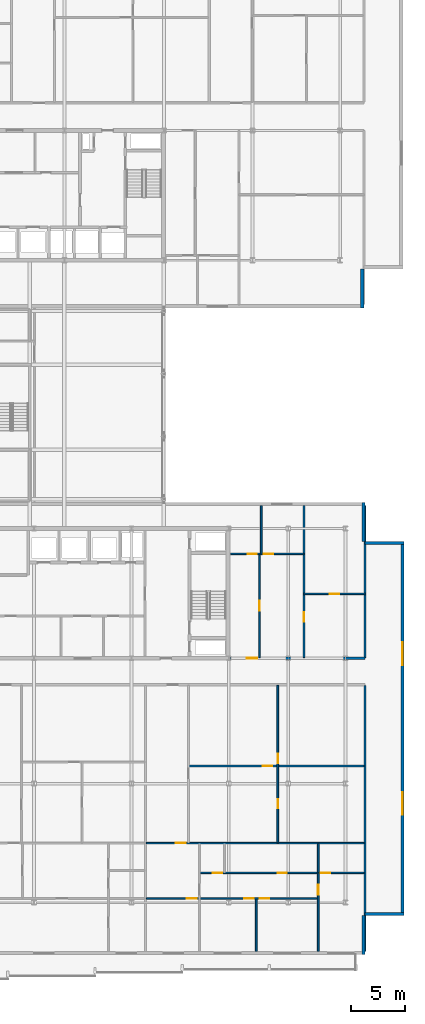
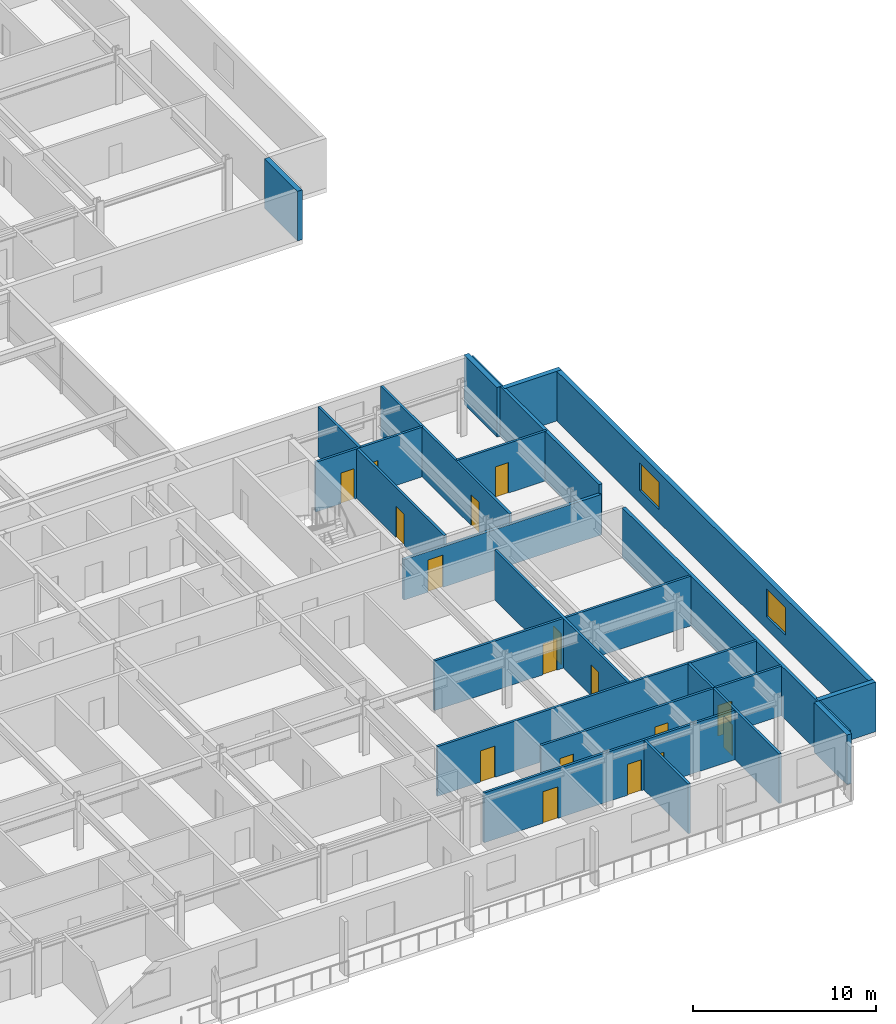
# One storey, part 23 of 36: 22 walls, 17 doors, 2 windows, 19 openings.
"""IFC4 building model written with IfcOpenShell, lengths in metres."""

from ifc_helpers import new_model, si_unit, direction, frame, frame_2d, origin, place, context, subcontext, project, spatial, rectangle, extrude, material, layer, layer_set, type_object, element, fill, save


model = new_model("IFC4")

# Units and contexts
model_context = context("Model", 3, precision=1e-05, world=origin(), true_north=direction((0.0, 1.0)))
body_context = subcontext(model_context, "Body", "Model", "MODEL_VIEW")
ifc_project = project(units=[si_unit("LENGTHUNIT", "METRE"), si_unit("AREAUNIT", "SQUARE_METRE"), si_unit("VOLUMEUNIT", "CUBIC_METRE"), si_unit("PLANEANGLEUNIT", "RADIAN"), si_unit("MASSUNIT", "GRAM", prefix="KILO")], contexts=[model_context])

# Site, building, storey
site_placement = place(None, origin())
site = spatial("IfcSite", under=ifc_project, at=site_placement, CompositionType="ELEMENT")
building_placement = place(site_placement, origin())
building = spatial("IfcBuilding", under=site, at=building_placement, Name="Korimba Cascade Residences", CompositionType="ELEMENT")
storey_placement = place(building_placement, frame((0.0, 0.0, 142.89990234375)))
storey = spatial("IfcBuildingStorey", under=building, at=storey_placement, Name="L41", CompositionType="ELEMENT", Elevation=142.89990234375)

# Walls
ifc_material_1 = material(Name="Precast concrete C40/50", Category="concrete")
ifc_layer_1 = layer(ifc_material_1, 0.300048828125)
ifc_layer_set_1 = layer_set([ifc_layer_1], Name="Precast concrete C40/50")
wall_type_1 = type_object("IfcWallType", Name="EW-STONE-300", PredefinedType="STANDARD", material=ifc_layer_set_1)
wall_1_placement = place(storey_placement, frame((130.449951171875, 50.800048828125, 0.0), z_axis=(0.0, 0.0, 1.0), x_axis=(0.0, 1.0, 0.0)))
element("IfcWall", 1, at=wall_1_placement, inside=storey, type_object=wall_type_1, Name="L41 T1 Perimeter Stone Wall E01", PredefinedType="STANDARD", context=body_context, shape_type="SweptSolid", body=[
    extrude(rectangle(XDim=3.599853515625, YDim=0.300048828125, at=frame_2d((1.7998046875, 0.0))), origin(), (0.0, 0.0, 1.0), 3.31005859375),
])
for number, where, z_axis, x_axis, name in (
    (2, (130.550048828125, -9.0, 0.0), (0.0, 0.0, 1.0), (0.0, 1.0, 0.0), "L41 T2 Perimeter Stone Wall E01"),
    (3, (130.699951171875, -5.25, 0.0), (0.0, 0.0, 1.0), (1.0, 0.0, 0.0), "L41 T2 Perimeter Stone Wall E02"),
):
    element("IfcWall", number, at=place(storey_placement, frame(where, z_axis=z_axis, x_axis=x_axis)), inside=storey, type_object=wall_type_1, Name=name, PredefinedType="STANDARD", context=body_context, shape_type="SweptSolid", body=[
        extrude(rectangle(XDim=3.60009765625, YDim=0.300048828125, at=frame_2d((1.800048828125, 0.0))), origin(), (0.0, 0.0, 1.0), 3.31005859375),
    ])

# Wall, openings, windows
wall_2_placement = place(storey_placement, frame((134.14990234375, -5.39990234375, 0.0), z_axis=(0.0, 0.0, 1.0), x_axis=(0.0, 1.0, 0.0)))
wall_2 = element("IfcWall", 4, at=wall_2_placement, inside=storey, type_object=wall_type_1, Name="L41 T2 Perimeter Stone Wall E03", PredefinedType="STANDARD", context=body_context, shape_type="SweptSolid", body=[
    extrude(rectangle(XDim=34.599853515625, YDim=0.300048828125, at=frame_2d((17.2998046875, 0.0))), origin(), (0.0, 0.0, 1.0), 3.31005859375),
])
opening_1_placement = place(wall_2_placement, frame((9.330078125, 0.0, 0.85009765625)))
opening_1 = element("IfcOpeningElement", 5, at=opening_1_placement, cuts=wall_2, Name="Opening W-03", PredefinedType="OPENING", context=body_context, shape_type="SweptSolid", body=[
    extrude(rectangle(XDim=2.10009765625, YDim=1.85009765625, at=frame_2d((1.050048828125, 0.925048828125))), frame((0.0, 0.16015625, 0.0), z_axis=(0.0, -1.0, 0.0), x_axis=(1.0, 0.0, 0.0)), (0.0, 0.0, 1.0), 0.320068359375),
])
opening_2_placement = place(wall_2_placement, frame((23.169921875, 0.0, 0.85009765625)))
opening_2 = element("IfcOpeningElement", 6, at=opening_2_placement, cuts=wall_2, Name="Opening W-03", PredefinedType="OPENING", context=body_context, shape_type="SweptSolid", body=[
    extrude(rectangle(XDim=2.10009765625, YDim=1.85009765625, at=frame_2d((1.050048828125, 0.925048828125))), frame((0.0, 0.16015625, 0.0), z_axis=(0.0, -1.0, 0.0), x_axis=(1.0, 0.0, 0.0)), (0.0, 0.0, 1.0), 0.320068359375),
])
ifc_material_2 = material(Name="Double-Glazed Aluminium Window", Category="aluminium")
window_type = type_object("IfcWindowType", Name="WIN-CRN-2100", PartitioningType="DOUBLE_PANEL_HORIZONTAL", PredefinedType="WINDOW", material=ifc_material_2)
window_1_placement = place(opening_1_placement, origin())
window_1 = element("IfcWindow", 7, at=window_1_placement, inside=storey, type_object=window_type, Name="L41 T2 End View Window 3.1", OverallHeight=1.85009765625, OverallWidth=2.10009765625, PartitioningType="DOUBLE_PANEL_HORIZONTAL", PredefinedType="WINDOW", context=body_context, shape_type="SweptSolid", body=[
    extrude(rectangle(XDim=2.10009765625, YDim=1.85009765625, at=frame_2d((1.050048828125, 0.925048828125))), frame((0.0, 0.030029296875, 0.0), z_axis=(0.0, -1.0, 0.0), x_axis=(1.0, 0.0, 0.0)), (0.0, 0.0, 1.0), 0.06005859375),
])
fill(opening_1, window_1)
window_2_placement = place(opening_2_placement, origin())
window_2 = element("IfcWindow", 8, at=window_2_placement, inside=storey, type_object=window_type, Name="L41 T2 End View Window 3.2", OverallHeight=1.85009765625, OverallWidth=2.10009765625, PartitioningType="DOUBLE_PANEL_HORIZONTAL", PredefinedType="WINDOW", context=body_context, shape_type="SweptSolid", body=[
    extrude(rectangle(XDim=2.10009765625, YDim=1.85009765625, at=frame_2d((1.050048828125, 0.925048828125))), frame((0.0, 0.030029296875, 0.0), z_axis=(0.0, -1.0, 0.0), x_axis=(1.0, 0.0, 0.0)), (0.0, 0.0, 1.0), 0.06005859375),
])
fill(opening_2, window_2)

# Walls
for number, where, z_axis, x_axis, name in (
    (9, (134.300048828125, 29.050048828125, 0.0), (0.0, 0.0, 1.0), (-1.0, 0.0, 0.0), "L41 T2 Perimeter Stone Wall E04"),
    (10, (130.550048828125, 29.199951171875, 0.0), (0.0, 0.0, 1.0), (0.0, 1.0, 0.0), "L41 T2 Perimeter Stone Wall E05"),
):
    element("IfcWall", number, at=place(storey_placement, frame(where, z_axis=z_axis, x_axis=x_axis)), inside=storey, type_object=wall_type_1, Name=name, PredefinedType="STANDARD", context=body_context, shape_type="SweptSolid", body=[
        extrude(rectangle(XDim=3.60009765625, YDim=0.300048828125, at=frame_2d((1.800048828125, 0.0))), origin(), (0.0, 0.0, 1.0), 3.31005859375),
    ])
ifc_layer_2 = layer(ifc_material_1, 0.199951171875)
ifc_layer_set_2 = layer_set([ifc_layer_2], Name="Precast concrete C40/50")
wall_type_2 = type_object("IfcWallType", Name="WAL-IT-200", PredefinedType="PARTITIONING", material=ifc_layer_set_2)
wall_3_placement = place(storey_placement, frame((130.699951171875, 18.39990234375, 0.0), z_axis=(0.0, 0.0, 1.0), x_axis=(0.0, 1.0, 0.0)))
element("IfcWall", 11, at=wall_3_placement, inside=storey, type_object=wall_type_2, Name="L41 Partition Wall WAL-L41-T2-FE-WR", PredefinedType="PARTITIONING", context=body_context, shape_type="SweptSolid", body=[
    extrude(rectangle(XDim=14.10009765625, YDim=0.199951171875, at=frame_2d((7.050048828125, 0.0))), origin(), (0.0, 0.0, 1.0), 3.31005859375),
])

# Wall, opening, door
wall_4_placement = place(storey_placement, frame((118.25, 18.39990234375, 0.0), z_axis=(0.0, 0.0, 1.0), x_axis=(1.0, 0.0, 0.0)))
wall_4 = element("IfcWall", 12, at=wall_4_placement, inside=storey, type_object=wall_type_2, Name="L41 Partition Wall WAL-L41-T2-FE-S", PredefinedType="PARTITIONING", context=body_context, shape_type="SweptSolid", body=[
    extrude(rectangle(XDim=12.449951171875, YDim=0.199951171875, at=frame_2d((6.22509765625, 0.0))), origin(), (0.0, 0.0, 1.0), 2.697998046875),
])
opening_3_placement = place(wall_4_placement, frame((1.510009765625, 0.0, 0.0)))
opening_3 = element("IfcOpeningElement", 13, at=opening_3_placement, cuts=wall_4, Name="Opening D-UN1", PredefinedType="OPENING", context=body_context, shape_type="SweptSolid", body=[
    extrude(rectangle(XDim=0.949951171875, YDim=2.14990234375, at=frame_2d((0.47509765625, 1.074951171875))), frame((0.0, 0.10986328125, 0.0), z_axis=(0.0, -1.0, 0.0), x_axis=(1.0, 0.0, 0.0)), (0.0, 0.0, 1.0), 0.219970703125),
])
ifc_material_3 = material(Name="Fire-Rated Hardwood Apartment Entrance Door", Category="wood")
door_type_1 = type_object("IfcDoorType", Name="DR-FD60-950", OperationType="NOTDEFINED", PredefinedType="DOOR", material=ifc_material_3)
door_1_placement = place(opening_3_placement, origin())
door_1 = element("IfcDoor", 14, at=door_1_placement, inside=storey, type_object=door_type_1, Name="L41-T2-FE Entrance Door", OperationType="SINGLE_SWING_RIGHT", OverallHeight=2.14990234375, OverallWidth=0.949951171875, PredefinedType="DOOR", context=body_context, shape_type="SweptSolid", body=[
    extrude(rectangle(XDim=0.949951171875, YDim=2.14990234375, at=frame_2d((0.47509765625, 1.074951171875))), frame((0.0, 0.02490234375, 0.0), z_axis=(0.0, -1.0, 0.0), x_axis=(1.0, 0.0, 0.0)), (0.0, 0.0, 1.0), 0.050048828125),
])
fill(opening_3, door_1)

# Wall
wall_5_placement = place(storey_placement, frame((130.699951171875, -8.699951171875, 0.0), z_axis=(0.0, 0.0, 1.0), x_axis=(0.0, 1.0, 0.0)))
element("IfcWall", 15, at=wall_5_placement, inside=storey, type_object=wall_type_2, Name="L41 Partition Wall WAL-L41-T2-BNDWR", PredefinedType="PARTITIONING", context=body_context, shape_type="SweptSolid", body=[
    extrude(rectangle(XDim=24.570068359375, YDim=0.199951171875, at=frame_2d((12.28515625, 0.0))), origin(), (0.0, 0.0, 1.0), 3.31005859375),
])

# Wall, opening, door
ifc_material_4 = material(Name="Insulated Acoustic Stud Partition", Category="gypsum")
ifc_layer_3 = layer(ifc_material_4, 0.14990234375)
ifc_layer_set_3 = layer_set([ifc_layer_3], Name="Insulated Acoustic Stud Partition")
wall_type_3 = type_object("IfcWallType", Name="WAL-PART-150", PredefinedType="PARTITIONING", material=ifc_layer_set_3)
wall_6_placement = place(storey_placement, frame((125.050048828125, 24.35009765625, 0.0), z_axis=(0.0, 0.0, 1.0), x_axis=(1.0, 0.0, 0.0)))
wall_6 = element("IfcWall", 16, at=wall_6_placement, inside=storey, type_object=wall_type_3, Name="L41 Partition Wall WAL-L41-T2-FE-STH", PredefinedType="PARTITIONING", context=body_context, shape_type="SweptSolid", body=[
    extrude(rectangle(XDim=5.64990234375, YDim=0.14990234375, at=frame_2d((2.824951171875, 0.0))), origin(), (0.0, 0.0, 1.0), 3.31005859375),
])
opening_4_placement = place(wall_6_placement, frame((2.405029296875, 0.0, 0.0)))
opening_4 = element("IfcOpeningElement", 17, at=opening_4_placement, cuts=wall_6, Name="Opening D-BT1", PredefinedType="OPENING", context=body_context, shape_type="SweptSolid", body=[
    extrude(rectangle(XDim=0.840087890625, YDim=2.0400390625, at=frame_2d((0.419921875, 1.02001953125))), frame((0.0, 0.0849609375, 0.0), z_axis=(0.0, -1.0, 0.0), x_axis=(1.0, 0.0, 0.0)), (0.0, 0.0, 1.0), 0.169921875),
])
ifc_material_5 = material(Name="Moisture-Resistant Bathroom Timber Door", Category="wood")
door_type_2 = type_object("IfcDoorType", Name="DR-INT-850", OperationType="NOTDEFINED", PredefinedType="DOOR", material=ifc_material_5)
door_2_placement = place(opening_4_placement, origin())
door_2 = element("IfcDoor", 18, at=door_2_placement, inside=storey, type_object=door_type_2, Name="L41-T2-FE Dressing Store Door", OperationType="SINGLE_SWING_LEFT", OverallHeight=2.0400390625, OverallWidth=0.840087890625, PredefinedType="DOOR", context=body_context, shape_type="SweptSolid", body=[
    extrude(rectangle(XDim=0.840087890625, YDim=2.0400390625, at=frame_2d((0.419921875, 1.02001953125))), frame((0.0, 0.02490234375, 0.0), z_axis=(0.0, -1.0, 0.0), x_axis=(1.0, 0.0, 0.0)), (0.0, 0.0, 1.0), 0.050048828125),
])
fill(opening_4, door_2)

wall_7_placement = place(storey_placement, frame((125.050048828125, 18.449951171875, 0.0), z_axis=(0.0, 0.0, 1.0), x_axis=(0.0, 1.0, 0.0)))
wall_7 = element("IfcWall", 19, at=wall_7_placement, inside=storey, type_object=wall_type_3, Name="L41 Partition Wall WAL-L41-T2-FE-STV", PredefinedType="PARTITIONING", context=body_context, shape_type="SweptSolid", body=[
    extrude(rectangle(XDim=14.050048828125, YDim=0.14990234375, at=frame_2d((7.02490234375, 0.0))), origin(), (0.0, 0.0, 1.0), 3.31005859375),
])
opening_5_placement = place(wall_7_placement, frame((3.320068359375, 0.0, 0.0)))
opening_5 = element("IfcOpeningElement", 20, at=opening_5_placement, cuts=wall_7, Name="Opening D-IN2", PredefinedType="OPENING", context=body_context, shape_type="SweptSolid", body=[
    extrude(rectangle(XDim=0.8798828125, YDim=2.06005859375, at=frame_2d((0.43994140625, 1.030029296875))), frame((0.0, 0.0849609375, 0.0), z_axis=(0.0, -1.0, 0.0), x_axis=(1.0, 0.0, 0.0)), (0.0, 0.0, 1.0), 0.169921875),
])
ifc_material_6 = material(Name="Acoustic Timber Bedroom Door", Category="wood")
door_type_3 = type_object("IfcDoorType", Name="DR-INT-880", OperationType="NOTDEFINED", PredefinedType="DOOR", material=ifc_material_6)
door_3_placement = place(opening_5_placement, origin())
door_3 = element("IfcDoor", 21, at=door_3_placement, inside=storey, type_object=door_type_3, Name="L41-T2-FE Study Door", OperationType="SINGLE_SWING_RIGHT", OverallHeight=2.06005859375, OverallWidth=0.8798828125, PredefinedType="DOOR", context=body_context, shape_type="SweptSolid", body=[
    extrude(rectangle(XDim=0.8798828125, YDim=2.06005859375, at=frame_2d((0.43994140625, 1.030029296875))), frame((0.0, 0.02490234375, 0.0), z_axis=(0.0, -1.0, 0.0), x_axis=(1.0, 0.0, 0.0)), (0.0, 0.0, 1.0), 0.050048828125),
])
fill(opening_5, door_3)

wall_8_placement = place(storey_placement, frame((120.929931640625, 18.449951171875, 0.0), z_axis=(0.0, 0.0, 1.0), x_axis=(0.0, 1.0, 0.0)))
wall_8 = element("IfcWall", 22, at=wall_8_placement, inside=storey, type_object=wall_type_3, Name="L41 Partition Wall WAL-L41-T2-FE-VS", PredefinedType="PARTITIONING", context=body_context, shape_type="SweptSolid", body=[
    extrude(rectangle(XDim=9.60009765625, YDim=0.14990234375, at=frame_2d((4.800048828125, 0.0))), origin(), (0.0, 0.0, 1.0), 3.31005859375),
])
opening_6_placement = place(wall_8_placement, frame((4.340087890625, 0.0, 0.0)))
opening_6 = element("IfcOpeningElement", 23, at=opening_6_placement, cuts=wall_8, Name="Opening D-IN1", PredefinedType="OPENING", context=body_context, shape_type="SweptSolid", body=[
    extrude(rectangle(XDim=0.919921875, YDim=2.080078125, at=frame_2d((0.4599609375, 1.0400390625))), frame((0.0, 0.0849609375, 0.0), z_axis=(0.0, -1.0, 0.0), x_axis=(1.0, 0.0, 0.0)), (0.0, 0.0, 1.0), 0.169921875),
])
ifc_material_7 = material(Name="Acoustic Timber Living Door", Category="wood")
door_type_4 = type_object("IfcDoorType", Name="DR-INT-920", OperationType="NOTDEFINED", PredefinedType="DOOR", material=ifc_material_7)
door_4_placement = place(opening_6_placement, origin())
door_4 = element("IfcDoor", 24, at=door_4_placement, inside=storey, type_object=door_type_4, Name="L41-T2-FE Living Door", OperationType="SINGLE_SWING_LEFT", OverallHeight=2.080078125, OverallWidth=0.919921875, PredefinedType="DOOR", context=body_context, shape_type="SweptSolid", body=[
    extrude(rectangle(XDim=0.919921875, YDim=2.080078125, at=frame_2d((0.4599609375, 1.0400390625))), frame((0.0, 0.02490234375, 0.0), z_axis=(0.0, -1.0, 0.0), x_axis=(1.0, 0.0, 0.0)), (0.0, 0.0, 1.0), 0.050048828125),
])
fill(opening_6, door_4)

# Wall
wall_9_placement = place(storey_placement, frame((121.10009765625, 28.050048828125, 0.0), z_axis=(0.0, 0.0, 1.0), x_axis=(0.0, 1.0, 0.0)))
element("IfcWall", 25, at=wall_9_placement, inside=storey, type_object=wall_type_3, Name="L41 Partition Wall WAL-L41-T2-FE-VN", PredefinedType="PARTITIONING", context=body_context, shape_type="SweptSolid", body=[
    extrude(rectangle(XDim=4.449951171875, YDim=0.14990234375, at=frame_2d((2.22509765625, 0.0))), origin(), (0.0, 0.0, 1.0), 3.31005859375),
])

# Wall, openings, doors
wall_10_placement = place(storey_placement, frame((118.27001953125, 28.050048828125, 0.0), z_axis=(0.0, 0.0, 1.0), x_axis=(1.0, 0.0, 0.0)))
wall_10 = element("IfcWall", 26, at=wall_10_placement, inside=storey, type_object=wall_type_3, Name="L41 Partition Wall WAL-L41-T2-FE-H", PredefinedType="PARTITIONING", context=body_context, shape_type="SweptSolid", body=[
    extrude(rectangle(XDim=6.760009765625, YDim=0.14990234375, at=frame_2d((3.3798828125, 0.0))), origin(), (0.0, 0.0, 1.0), 3.31005859375),
])
opening_7_placement = place(wall_10_placement, frame((1.58740234375, 0.0, 0.0)))
opening_7 = element("IfcOpeningElement", 27, at=opening_7_placement, cuts=wall_10, Name="Opening D-BT1", PredefinedType="OPENING", context=body_context, shape_type="SweptSolid", body=[
    extrude(rectangle(XDim=0.840087890625, YDim=2.0400390625, at=frame_2d((0.419921875, 1.02001953125))), frame((0.0, 0.0849609375, 0.0), z_axis=(0.0, -1.0, 0.0), x_axis=(1.0, 0.0, 0.0)), (0.0, 0.0, 1.0), 0.169921875),
])
opening_8_placement = place(wall_10_placement, frame((3.0419921875, 0.0, 0.0)))
opening_8 = element("IfcOpeningElement", 28, at=opening_8_placement, cuts=wall_10, Name="Opening D-IN2", PredefinedType="OPENING", context=body_context, shape_type="SweptSolid", body=[
    extrude(rectangle(XDim=0.8798828125, YDim=2.06005859375, at=frame_2d((0.43994140625, 1.030029296875))), frame((0.0, 0.0849609375, 0.0), z_axis=(0.0, -1.0, 0.0), x_axis=(1.0, 0.0, 0.0)), (0.0, 0.0, 1.0), 0.169921875),
])
door_5_placement = place(opening_7_placement, origin())
door_5 = element("IfcDoor", 29, at=door_5_placement, inside=storey, type_object=door_type_2, Name="L41-T2-FE Bathroom Door", OperationType="SINGLE_SWING_RIGHT", OverallHeight=2.0400390625, OverallWidth=0.840087890625, PredefinedType="DOOR", context=body_context, shape_type="SweptSolid", body=[
    extrude(rectangle(XDim=0.840087890625, YDim=2.0400390625, at=frame_2d((0.419921875, 1.02001953125))), frame((0.0, 0.02490234375, 0.0), z_axis=(0.0, -1.0, 0.0), x_axis=(1.0, 0.0, 0.0)), (0.0, 0.0, 1.0), 0.050048828125),
])
fill(opening_7, door_5)
door_6_placement = place(opening_8_placement, origin())
door_6 = element("IfcDoor", 30, at=door_6_placement, inside=storey, type_object=door_type_3, Name="L41-T2-FE Bedroom Door", OperationType="SINGLE_SWING_LEFT", OverallHeight=2.06005859375, OverallWidth=0.8798828125, PredefinedType="DOOR", context=body_context, shape_type="SweptSolid", body=[
    extrude(rectangle(XDim=0.8798828125, YDim=2.06005859375, at=frame_2d((0.43994140625, 1.030029296875))), frame((0.0, 0.02490234375, 0.0), z_axis=(0.0, -1.0, 0.0), x_axis=(1.0, 0.0, 0.0)), (0.0, 0.0, 1.0), 0.050048828125),
])
fill(opening_8, door_6)

wall_11_placement = place(storey_placement, frame((122.629150390625, 1.340087890625, 0.0), z_axis=(0.0, 0.0, 1.0), x_axis=(0.0, 1.0, 0.0)))
wall_11 = element("IfcWall", 31, at=wall_11_placement, inside=storey, type_object=wall_type_3, Name="L41 Partition Wall WAL-L41-T2-U03-FMV", PredefinedType="PARTITIONING", context=body_context, shape_type="SweptSolid", body=[
    extrude(rectangle(XDim=14.5498046875, YDim=0.14990234375, at=frame_2d((7.27490234375, 0.0))), origin(), (0.0, 0.0, 1.0), 3.31005859375),
])
opening_9_placement = place(wall_11_placement, frame((3.177490234375, 0.0, 0.0)))
opening_9 = element("IfcOpeningElement", 32, at=opening_9_placement, cuts=wall_11, Name="Opening D-BT1", PredefinedType="OPENING", context=body_context, shape_type="SweptSolid", body=[
    extrude(rectangle(XDim=0.840087890625, YDim=2.0400390625, at=frame_2d((0.419921875, 1.02001953125))), frame((0.0, 0.0849609375, 0.0), z_axis=(0.0, -1.0, 0.0), x_axis=(1.0, 0.0, 0.0)), (0.0, 0.0, 1.0), 0.169921875),
])
opening_10_placement = place(wall_11_placement, frame((7.344970703125, 0.0, 0.0)))
opening_10 = element("IfcOpeningElement", 33, at=opening_10_placement, cuts=wall_11, Name="Opening D-IN2", PredefinedType="OPENING", context=body_context, shape_type="SweptSolid", body=[
    extrude(rectangle(XDim=0.8798828125, YDim=2.06005859375, at=frame_2d((0.43994140625, 1.030029296875))), frame((0.0, 0.0849609375, 0.0), z_axis=(0.0, -1.0, 0.0), x_axis=(1.0, 0.0, 0.0)), (0.0, 0.0, 1.0), 0.169921875),
])
door_7_placement = place(opening_9_placement, origin())
door_7 = element("IfcDoor", 34, at=door_7_placement, inside=storey, type_object=door_type_2, Name="L41-T2-U03 Wardrobe Door", OperationType="SINGLE_SWING_LEFT", OverallHeight=2.0400390625, OverallWidth=0.840087890625, PredefinedType="DOOR", context=body_context, shape_type="SweptSolid", body=[
    extrude(rectangle(XDim=0.840087890625, YDim=2.0400390625, at=frame_2d((0.419921875, 1.02001953125))), frame((0.0, 0.02490234375, 0.0), z_axis=(0.0, -1.0, 0.0), x_axis=(1.0, 0.0, 0.0)), (0.0, 0.0, 1.0), 0.050048828125),
])
fill(opening_9, door_7)
door_8_placement = place(opening_10_placement, origin())
door_8 = element("IfcDoor", 35, at=door_8_placement, inside=storey, type_object=door_type_3, Name="L41-T2-U03 Music Lounge Door", OperationType="SINGLE_SWING_RIGHT", OverallHeight=2.06005859375, OverallWidth=0.8798828125, PredefinedType="DOOR", context=body_context, shape_type="SweptSolid", body=[
    extrude(rectangle(XDim=0.8798828125, YDim=2.06005859375, at=frame_2d((0.43994140625, 1.030029296875))), frame((0.0, 0.02490234375, 0.0), z_axis=(0.0, -1.0, 0.0), x_axis=(1.0, 0.0, 0.0)), (0.0, 0.0, 1.0), 0.050048828125),
])
fill(opening_10, door_8)

# Wall, opening, door
wall_12_placement = place(storey_placement, frame((114.438232421875, 8.43505859375, 0.0), z_axis=(0.0, 0.0, 1.0), x_axis=(1.0, 0.0, 0.0)))
wall_12 = element("IfcWall", 36, at=wall_12_placement, inside=storey, type_object=wall_type_3, Name="L41 Partition Wall WAL-L41-T2-U03-FMH", PredefinedType="PARTITIONING", context=body_context, shape_type="SweptSolid", body=[
    extrude(rectangle(XDim=16.181884765625, YDim=0.14990234375, at=frame_2d((8.0908203125, 0.0))), origin(), (0.0, 0.0, 1.0), 3.31005859375),
])
opening_11_placement = place(wall_12_placement, frame((6.8212890625, 0.0, 0.0)))
opening_11 = element("IfcOpeningElement", 37, at=opening_11_placement, cuts=wall_12, Name="Opening D-IN2", PredefinedType="OPENING", context=body_context, shape_type="SweptSolid", body=[
    extrude(rectangle(XDim=0.8798828125, YDim=2.06005859375, at=frame_2d((0.43994140625, 1.030029296875))), frame((0.0, 0.0849609375, 0.0), z_axis=(0.0, -1.0, 0.0), x_axis=(1.0, 0.0, 0.0)), (0.0, 0.0, 1.0), 0.169921875),
])
door_9_placement = place(opening_11_placement, origin())
door_9 = element("IfcDoor", 38, at=door_9_placement, inside=storey, type_object=door_type_3, Name="L41-T2-U03 Library Salon Door", OperationType="SINGLE_SWING_LEFT", OverallHeight=2.06005859375, OverallWidth=0.8798828125, PredefinedType="DOOR", context=body_context, shape_type="SweptSolid", body=[
    extrude(rectangle(XDim=0.8798828125, YDim=2.06005859375, at=frame_2d((0.43994140625, 1.030029296875))), frame((0.0, 0.02490234375, 0.0), z_axis=(0.0, -1.0, 0.0), x_axis=(1.0, 0.0, 0.0)), (0.0, 0.0, 1.0), 0.050048828125),
])
fill(opening_11, door_9)

# Walls
wall_13_placement = place(storey_placement, frame((120.63916015625, -8.699951171875, 0.0), z_axis=(0.0, 0.0, 1.0), x_axis=(0.0, 1.0, 0.0)))
element("IfcWall", 39, at=wall_13_placement, inside=storey, type_object=wall_type_3, Name="L41 Partition Wall WAL-L41-T2-U03-VSTD", PredefinedType="PARTITIONING", context=body_context, shape_type="SweptSolid", body=[
    extrude(rectangle(XDim=4.820068359375, YDim=0.14990234375, at=frame_2d((2.41015625, 0.0))), origin(), (0.0, 0.0, 1.0), 3.31005859375),
])
wall_14_placement = place(storey_placement, frame((126.3701171875, -1.429931640625, 0.0), z_axis=(0.0, 0.0, 1.0), x_axis=(0.0, 1.0, 0.0)))
element("IfcWall", 40, at=wall_14_placement, inside=storey, type_object=wall_type_3, Name="L41 Partition Wall WAL-L41-T2-U03-VBATH", PredefinedType="PARTITIONING", context=body_context, shape_type="SweptSolid", body=[
    extrude(rectangle(XDim=2.68994140625, YDim=0.14990234375, at=frame_2d((1.344970703125, 0.0))), origin(), (0.0, 0.0, 1.0), 3.31005859375),
])

# Wall, opening, door
wall_15_placement = place(storey_placement, frame((126.3701171875, -8.699951171875, 0.0), z_axis=(0.0, 0.0, 1.0), x_axis=(0.0, 1.0, 0.0)))
wall_15 = element("IfcWall", 41, at=wall_15_placement, inside=storey, type_object=wall_type_3, Name="L41 Partition Wall WAL-L41-T2-U03-V2FULL", PredefinedType="PARTITIONING", context=body_context, shape_type="SweptSolid", body=[
    extrude(rectangle(XDim=7.22998046875, YDim=0.14990234375, at=frame_2d((3.614990234375, 0.0))), origin(), (0.0, 0.0, 1.0), 3.31005859375),
])
opening_12_placement = place(wall_15_placement, frame((5.219970703125, 0.0, 0.0)))
opening_12 = element("IfcOpeningElement", 42, at=opening_12_placement, cuts=wall_15, Name="Opening D-IN1", PredefinedType="OPENING", context=body_context, shape_type="SweptSolid", body=[
    extrude(rectangle(XDim=0.919921875, YDim=2.080078125, at=frame_2d((0.4599609375, 1.0400390625))), frame((0.0, 0.0849609375, 0.0), z_axis=(0.0, -1.0, 0.0), x_axis=(1.0, 0.0, 0.0)), (0.0, 0.0, 1.0), 0.169921875),
])
door_10_placement = place(opening_12_placement, origin())
door_10 = element("IfcDoor", 43, at=door_10_placement, inside=storey, type_object=door_type_4, Name="L41-T2-U03 Master Bedroom Door", OperationType="SINGLE_SWING_RIGHT", OverallHeight=2.080078125, OverallWidth=0.919921875, PredefinedType="DOOR", context=body_context, shape_type="SweptSolid", body=[
    extrude(rectangle(XDim=0.919921875, YDim=2.080078125, at=frame_2d((0.4599609375, 1.0400390625))), frame((0.0, 0.02490234375, 0.0), z_axis=(0.0, -1.0, 0.0), x_axis=(1.0, 0.0, 0.0)), (0.0, 0.0, 1.0), 0.050048828125),
])
fill(opening_12, door_10)

# Wall, openings, doors
wall_16_placement = place(storey_placement, frame((115.4482421875, -1.449951171875, 0.0), z_axis=(0.0, 0.0, 1.0), x_axis=(1.0, 0.0, 0.0)))
wall_16 = element("IfcWall", 44, at=wall_16_placement, inside=storey, type_object=wall_type_3, Name="L41 Partition Wall WAL-L41-T2-U03-HWALL", PredefinedType="PARTITIONING", context=body_context, shape_type="SweptSolid", body=[
    extrude(rectangle(XDim=15.171875, YDim=0.14990234375, at=frame_2d((7.5859375, 0.0))), origin(), (0.0, 0.0, 1.0), 3.31005859375),
])
opening_13_placement = place(wall_16_placement, frame((1.19091796875, 0.0, 0.0)))
opening_13 = element("IfcOpeningElement", 45, at=opening_13_placement, cuts=wall_16, Name="Opening D-BT1", PredefinedType="OPENING", context=body_context, shape_type="SweptSolid", body=[
    extrude(rectangle(XDim=0.840087890625, YDim=2.0400390625, at=frame_2d((0.419921875, 1.02001953125))), frame((0.0, 0.0849609375, 0.0), z_axis=(0.0, -1.0, 0.0), x_axis=(1.0, 0.0, 0.0)), (0.0, 0.0, 1.0), 0.169921875),
])
opening_14_placement = place(wall_16_placement, frame((7.166015625, 0.0, 0.0)))
opening_14 = element("IfcOpeningElement", 46, at=opening_14_placement, cuts=wall_16, Name="Opening D-BT1", PredefinedType="OPENING", context=body_context, shape_type="SweptSolid", body=[
    extrude(rectangle(XDim=0.840087890625, YDim=2.0400390625, at=frame_2d((0.419921875, 1.02001953125))), frame((0.0, 0.0849609375, 0.0), z_axis=(0.0, -1.0, 0.0), x_axis=(1.0, 0.0, 0.0)), (0.0, 0.0, 1.0), 0.169921875),
])
opening_15_placement = place(wall_16_placement, frame((11.171630859375, 0.0, 0.0)))
opening_15 = element("IfcOpeningElement", 47, at=opening_15_placement, cuts=wall_16, Name="Opening D-BT1", PredefinedType="OPENING", context=body_context, shape_type="SweptSolid", body=[
    extrude(rectangle(XDim=0.840087890625, YDim=2.0400390625, at=frame_2d((0.419921875, 1.02001953125))), frame((0.0, 0.0849609375, 0.0), z_axis=(0.0, -1.0, 0.0), x_axis=(1.0, 0.0, 0.0)), (0.0, 0.0, 1.0), 0.169921875),
])
door_11_placement = place(opening_13_placement, origin())
door_11 = element("IfcDoor", 48, at=door_11_placement, inside=storey, type_object=door_type_2, Name="L41-T2-U03 Family Bathroom Door", OperationType="SINGLE_SWING_LEFT", OverallHeight=2.0400390625, OverallWidth=0.840087890625, PredefinedType="DOOR", context=body_context, shape_type="SweptSolid", body=[
    extrude(rectangle(XDim=0.840087890625, YDim=2.0400390625, at=frame_2d((0.419921875, 1.02001953125))), frame((0.0, 0.02490234375, 0.0), z_axis=(0.0, -1.0, 0.0), x_axis=(1.0, 0.0, 0.0)), (0.0, 0.0, 1.0), 0.050048828125),
])
fill(opening_13, door_11)
door_12_placement = place(opening_14_placement, origin())
door_12 = element("IfcDoor", 49, at=door_12_placement, inside=storey, type_object=door_type_2, Name="L41-T2-U03 Dressing Room Door", OperationType="SINGLE_SWING_RIGHT", OverallHeight=2.0400390625, OverallWidth=0.840087890625, PredefinedType="DOOR", context=body_context, shape_type="SweptSolid", body=[
    extrude(rectangle(XDim=0.840087890625, YDim=2.0400390625, at=frame_2d((0.419921875, 1.02001953125))), frame((0.0, 0.02490234375, 0.0), z_axis=(0.0, -1.0, 0.0), x_axis=(1.0, 0.0, 0.0)), (0.0, 0.0, 1.0), 0.050048828125),
])
fill(opening_14, door_12)
door_13_placement = place(opening_15_placement, origin())
door_13 = element("IfcDoor", 50, at=door_13_placement, inside=storey, type_object=door_type_2, Name="L41-T2-U03 En-Suite Door", OperationType="SINGLE_SWING_LEFT", OverallHeight=2.0400390625, OverallWidth=0.840087890625, PredefinedType="DOOR", context=body_context, shape_type="SweptSolid", body=[
    extrude(rectangle(XDim=0.840087890625, YDim=2.0400390625, at=frame_2d((0.419921875, 1.02001953125))), frame((0.0, 0.02490234375, 0.0), z_axis=(0.0, -1.0, 0.0), x_axis=(1.0, 0.0, 0.0)), (0.0, 0.0, 1.0), 0.050048828125),
])
fill(opening_15, door_13)

# Wall, opening, door
wall_17_placement = place(storey_placement, frame((110.48828125, 1.300048828125, 0.0), z_axis=(0.0, 0.0, 1.0), x_axis=(1.0, 0.0, 0.0)))
wall_17 = element("IfcWall", 51, at=wall_17_placement, inside=storey, type_object=wall_type_3, Name="L41 Partition Wall WAL-L41-T2-U03-MW", PredefinedType="PARTITIONING", context=body_context, shape_type="SweptSolid", body=[
    extrude(rectangle(XDim=20.1318359375, YDim=0.14990234375, at=frame_2d((10.06591796875, 0.0))), origin(), (0.0, 0.0, 1.0), 3.31005859375),
])
opening_16_placement = place(wall_17_placement, frame((2.719970703125, 0.0, 0.0)))
opening_16 = element("IfcOpeningElement", 52, at=opening_16_placement, cuts=wall_17, Name="Opening D-IN1", PredefinedType="OPENING", context=body_context, shape_type="SweptSolid", body=[
    extrude(rectangle(XDim=0.919921875, YDim=2.080078125, at=frame_2d((0.4599609375, 1.0400390625))), frame((0.0, 0.0849609375, 0.0), z_axis=(0.0, -1.0, 0.0), x_axis=(1.0, 0.0, 0.0)), (0.0, 0.0, 1.0), 0.169921875),
])
door_14_placement = place(opening_16_placement, origin())
door_14 = element("IfcDoor", 53, at=door_14_placement, inside=storey, type_object=door_type_4, Name="L41-T2-U03 Kitchen Door", OperationType="SINGLE_SWING_RIGHT", OverallHeight=2.080078125, OverallWidth=0.919921875, PredefinedType="DOOR", context=body_context, shape_type="SweptSolid", body=[
    extrude(rectangle(XDim=0.919921875, YDim=2.080078125, at=frame_2d((0.4599609375, 1.0400390625))), frame((0.0, 0.02490234375, 0.0), z_axis=(0.0, -1.0, 0.0), x_axis=(1.0, 0.0, 0.0)), (0.0, 0.0, 1.0), 0.050048828125),
])
fill(opening_16, door_14)

# Wall, openings, doors
wall_18_placement = place(storey_placement, frame((110.48828125, -3.800048828125, 0.0), z_axis=(0.0, 0.0, 1.0), x_axis=(1.0, 0.0, 0.0)))
wall_18 = element("IfcWall", 54, at=wall_18_placement, inside=storey, type_object=wall_type_3, Name="L41 Partition Wall WAL-L41-T2-U03-HZ", PredefinedType="PARTITIONING", context=body_context, shape_type="SweptSolid", body=[
    extrude(rectangle(XDim=15.8818359375, YDim=0.14990234375, at=frame_2d((7.94091796875, 0.0))), origin(), (0.0, 0.0, 1.0), 3.31005859375),
])
opening_17_placement = place(wall_18_placement, frame((3.72998046875, 0.0, 0.0)))
opening_17 = element("IfcOpeningElement", 55, at=opening_17_placement, cuts=wall_18, Name="Opening D-IN0", PredefinedType="OPENING", context=body_context, shape_type="SweptSolid", body=[
    extrude(rectangle(XDim=0.93994140625, YDim=2.10009765625, at=frame_2d((0.469970703125, 1.050048828125))), frame((0.0, 0.0849609375, 0.0), z_axis=(0.0, -1.0, 0.0), x_axis=(1.0, 0.0, 0.0)), (0.0, 0.0, 1.0), 0.169921875),
])
opening_18_placement = place(wall_18_placement, frame((9.05078125, 0.0, 0.0)))
opening_18 = element("IfcOpeningElement", 56, at=opening_18_placement, cuts=wall_18, Name="Opening D-IN2", PredefinedType="OPENING", context=body_context, shape_type="SweptSolid", body=[
    extrude(rectangle(XDim=0.8798828125, YDim=2.06005859375, at=frame_2d((0.43994140625, 1.030029296875))), frame((0.0, 0.0849609375, 0.0), z_axis=(0.0, -1.0, 0.0), x_axis=(1.0, 0.0, 0.0)), (0.0, 0.0, 1.0), 0.169921875),
])
opening_19_placement = place(wall_18_placement, frame((10.458984375, 0.0, 0.0)))
opening_19 = element("IfcOpeningElement", 57, at=opening_19_placement, cuts=wall_18, Name="Opening D-IN2", PredefinedType="OPENING", context=body_context, shape_type="SweptSolid", body=[
    extrude(rectangle(XDim=0.8798828125, YDim=2.06005859375, at=frame_2d((0.43994140625, 1.030029296875))), frame((0.0, 0.0849609375, 0.0), z_axis=(0.0, -1.0, 0.0), x_axis=(1.0, 0.0, 0.0)), (0.0, 0.0, 1.0), 0.169921875),
])
door_15_placement = place(opening_18_placement, origin())
door_15 = element("IfcDoor", 58, at=door_15_placement, inside=storey, type_object=door_type_3, Name="L41-T2-U03 Bedroom 2 Door", OperationType="SINGLE_SWING_RIGHT", OverallHeight=2.06005859375, OverallWidth=0.8798828125, PredefinedType="DOOR", context=body_context, shape_type="SweptSolid", body=[
    extrude(rectangle(XDim=0.8798828125, YDim=2.06005859375, at=frame_2d((0.43994140625, 1.030029296875))), frame((0.0, 0.02490234375, 0.0), z_axis=(0.0, -1.0, 0.0), x_axis=(1.0, 0.0, 0.0)), (0.0, 0.0, 1.0), 0.050048828125),
])
fill(opening_18, door_15)
door_16_placement = place(opening_19_placement, origin())
door_16 = element("IfcDoor", 59, at=door_16_placement, inside=storey, type_object=door_type_3, Name="L41-T2-U03 Study Door", OperationType="SINGLE_SWING_LEFT", OverallHeight=2.06005859375, OverallWidth=0.8798828125, PredefinedType="DOOR", context=body_context, shape_type="SweptSolid", body=[
    extrude(rectangle(XDim=0.8798828125, YDim=2.06005859375, at=frame_2d((0.43994140625, 1.030029296875))), frame((0.0, 0.02490234375, 0.0), z_axis=(0.0, -1.0, 0.0), x_axis=(1.0, 0.0, 0.0)), (0.0, 0.0, 1.0), 0.050048828125),
])
fill(opening_19, door_16)
ifc_material_8 = material(Name="Acoustic Timber Living Archway Door", Category="wood")
door_type_5 = type_object("IfcDoorType", Name="DR-INT-950", OperationType="NOTDEFINED", PredefinedType="DOOR", material=ifc_material_8)
door_17_placement = place(opening_17_placement, origin())
door_17 = element("IfcDoor", 60, at=door_17_placement, inside=storey, type_object=door_type_5, Name="L41-T2-U03 Living Room Door", OperationType="SINGLE_SWING_LEFT", OverallHeight=2.10009765625, OverallWidth=0.93994140625, PredefinedType="DOOR", context=body_context, shape_type="SweptSolid", body=[
    extrude(rectangle(XDim=0.93994140625, YDim=2.10009765625, at=frame_2d((0.469970703125, 1.050048828125))), frame((0.0, 0.02490234375, 0.0), z_axis=(0.0, -1.0, 0.0), x_axis=(1.0, 0.0, 0.0)), (0.0, 0.0, 1.0), 0.050048828125),
])
fill(opening_17, door_17)

save(model, "model.ifc")
